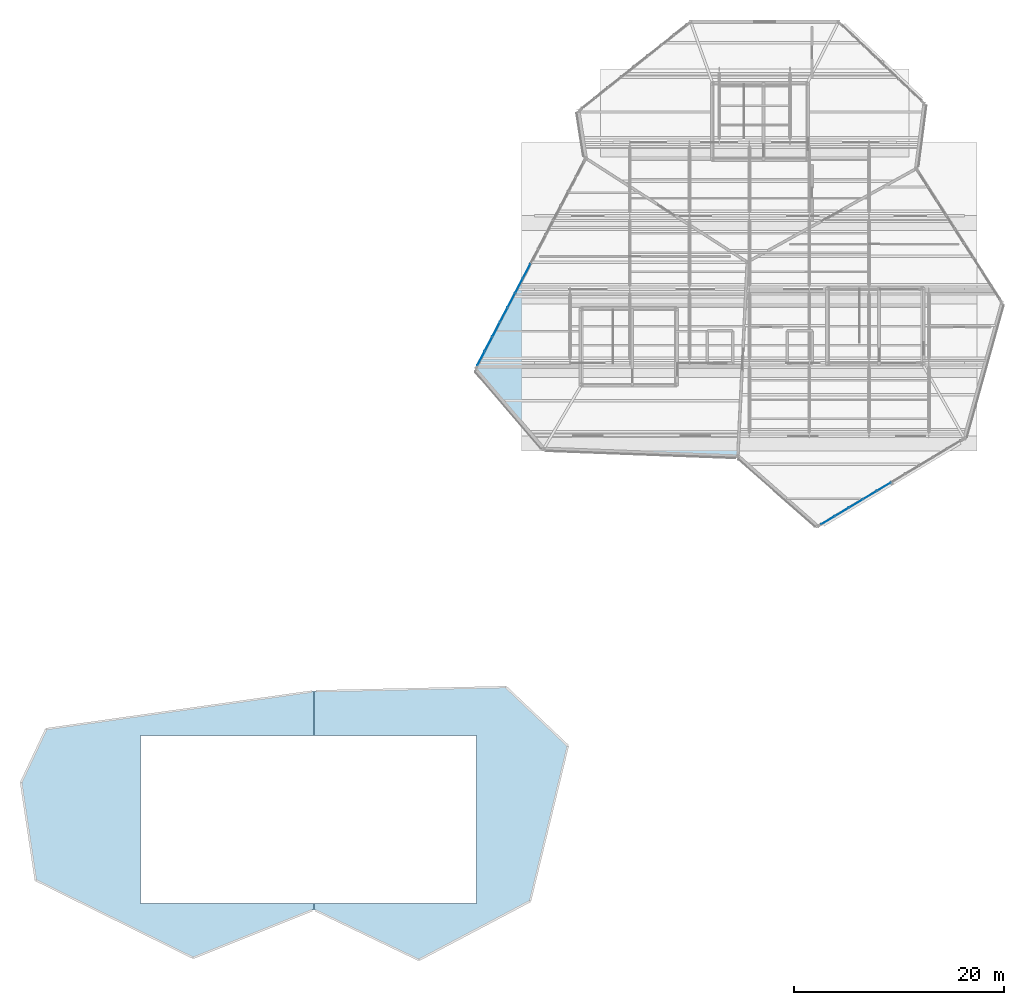
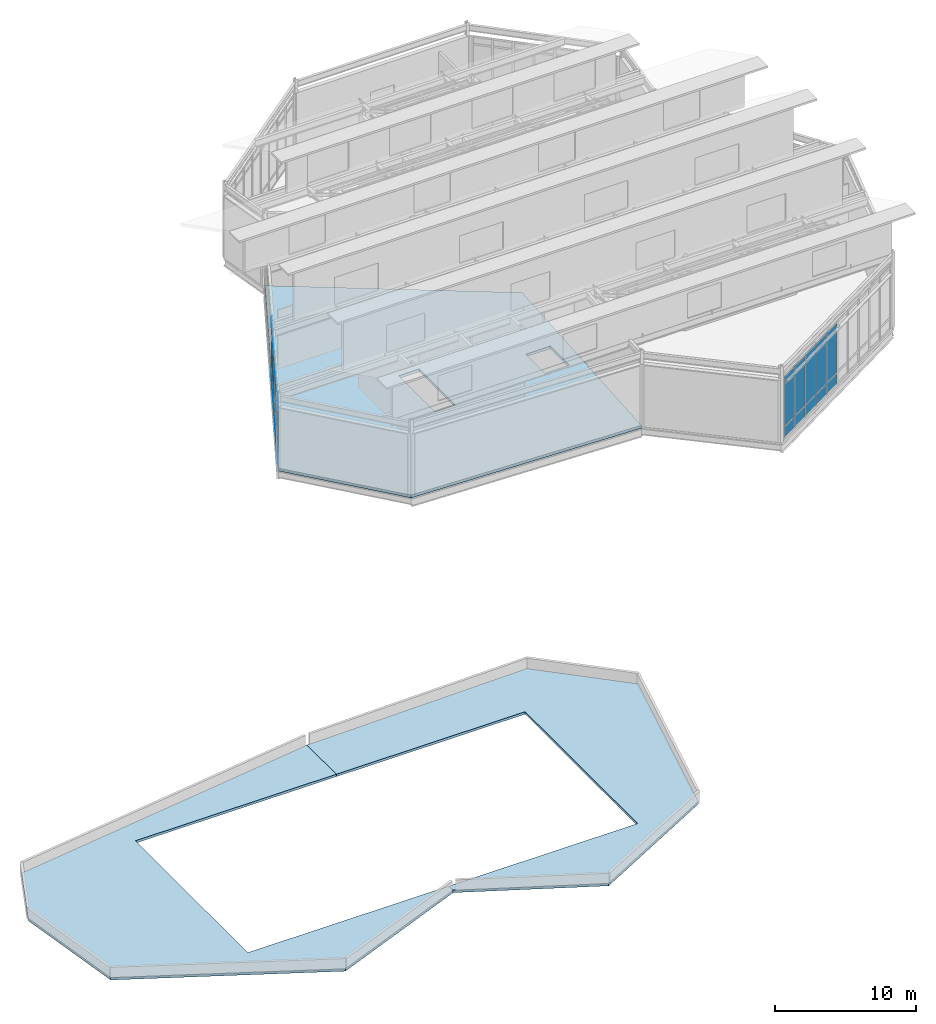
# One storey, part 42 of 55: 36 plates, 3 slabs, 2 elements without a shape of their own.
"""IFC4 building model written with IfcOpenShell, lengths in metres."""

from ifc_helpers import new_model, si_unit, direction, frame, origin, origin_2d, place, context, subcontext, project, spatial, polyline, rectangle, outline, extrude, material, layer, layer_set, type_object, element, aggregate, save


model = new_model("IFC4")

# Units and contexts
model_context = context("Model", 3, precision=1e-05, world=origin(), true_north=direction((0.0, 1.0)))
body_context = subcontext(model_context, "Body", "Model", "MODEL_VIEW")
ifc_project = project(units=[si_unit("LENGTHUNIT", "METRE"), si_unit("AREAUNIT", "SQUARE_METRE"), si_unit("VOLUMEUNIT", "CUBIC_METRE"), si_unit("PLANEANGLEUNIT", "RADIAN"), si_unit("MASSUNIT", "GRAM", prefix="KILO")], contexts=[model_context])

# Site, building, storey
site_placement = place(None, origin())
site = spatial("IfcSite", under=ifc_project, at=site_placement, CompositionType="ELEMENT")
building_placement = place(site_placement, origin())
building = spatial("IfcBuilding", under=site, at=building_placement, Name="Tameran Prism Museum", CompositionType="ELEMENT")
storey_placement = place(building_placement, frame((0.0, 0.0, 28.800048828125)))
storey = spatial("IfcBuildingStorey", under=building, at=storey_placement, Name="L05", CompositionType="ELEMENT", Elevation=28.800048828125)

# Curtain wall, plates
ifc_material_1 = material(Name="Anodised Aluminium 6063-T6 and Cyclone Solar Glass", Category="aluminium")
curtain_wall_type_1 = type_object("IfcCurtainWallType", Name="CW-FAC-1563x542", PredefinedType="USERDEFINED", material=ifc_material_1)
curtain_wall_1_placement = place(storey_placement, origin())
curtain_wall_1 = element("IfcCurtainWall", 1, at=curtain_wall_1_placement, inside=storey, type_object=curtain_wall_type_1, Name="Unitised Curtain Wall CW-165", ObjectType="UNITISED CURTAIN WALL", PredefinedType="USERDEFINED")
ifc_material_2 = material(Name="Low-E Laminated Solar Glass", Category="glass")
ifc_layer_1 = layer(ifc_material_2, 0.028076171875)
ifc_layer_set_1 = layer_set([ifc_layer_1])
plate_type_1 = type_object("IfcPlateType", Name="CW-PNL-G28", PredefinedType="CURTAIN_PANEL", material=ifc_layer_set_1)
plate_1_placement = place(storey_placement, frame((131.830078125, 67.697998046875, 0.0751953125), z_axis=(0.0, 0.0, 1.0), x_axis=(-0.857492925713, -0.514495755426, 0.0)))
plate_1 = element("IfcPlate", 2, at=plate_1_placement, type_object=plate_type_1, Name="CW-165 panel 6.1", PredefinedType="CURTAIN_PANEL", context=body_context, shape_type="SweptSolid", body=[
    extrude(rectangle(XDim=1.48779296875, YDim=0.028076171875, at=origin_2d()), origin(), (0.0, 0.0, 1.0), 0.887451171875),
])
plate_2_placement = place(storey_placement, frame((131.830078125, 67.697998046875, 1.037353515625), z_axis=(0.0, 0.0, 1.0), x_axis=(-0.857492925713, -0.514495755426, 0.0)))
plate_2 = element("IfcPlate", 3, at=plate_2_placement, type_object=plate_type_1, Name="CW-165 panel 6.2", PredefinedType="CURTAIN_PANEL", context=body_context, shape_type="SweptSolid", body=[
    extrude(rectangle(XDim=1.48779296875, YDim=0.028076171875, at=origin_2d()), origin(), (0.0, 0.0, 1.0), 3.6650390625),
])
plate_3_placement = place(storey_placement, frame((131.830078125, 67.697998046875, 4.777587890625), z_axis=(0.0, 0.0, 1.0), x_axis=(-0.857492925713, -0.514495755426, 0.0)))
plate_3 = element("IfcPlate", 4, at=plate_3_placement, type_object=plate_type_1, Name="CW-165 panel 6.3", PredefinedType="CURTAIN_PANEL", context=body_context, shape_type="SweptSolid", body=[
    extrude(rectangle(XDim=1.48779296875, YDim=0.028076171875, at=origin_2d()), origin(), (0.0, 0.0, 1.0), 0.5673828125),
])
plate_4_placement = place(storey_placement, frame((130.489990234375, 66.89404296875, 0.0751953125), z_axis=(0.0, 0.0, 1.0), x_axis=(-0.857492925713, -0.514495755426, 0.0)))
plate_4 = element("IfcPlate", 5, at=plate_4_placement, type_object=plate_type_1, Name="CW-165 panel 7.1", PredefinedType="CURTAIN_PANEL", context=body_context, shape_type="SweptSolid", body=[
    extrude(rectangle(XDim=1.48779296875, YDim=0.028076171875, at=origin_2d()), origin(), (0.0, 0.0, 1.0), 0.887451171875),
])
plate_5_placement = place(storey_placement, frame((130.489990234375, 66.89404296875, 1.037353515625), z_axis=(0.0, 0.0, 1.0), x_axis=(-0.857492925713, -0.514495755426, 0.0)))
plate_5 = element("IfcPlate", 6, at=plate_5_placement, type_object=plate_type_1, Name="CW-165 panel 7.2", PredefinedType="CURTAIN_PANEL", context=body_context, shape_type="SweptSolid", body=[
    extrude(rectangle(XDim=1.48779296875, YDim=0.028076171875, at=origin_2d()), origin(), (0.0, 0.0, 1.0), 3.6650390625),
])
plate_6_placement = place(storey_placement, frame((130.489990234375, 66.89404296875, 4.777587890625), z_axis=(0.0, 0.0, 1.0), x_axis=(-0.857492925713, -0.514495755426, 0.0)))
plate_6 = element("IfcPlate", 7, at=plate_6_placement, type_object=plate_type_1, Name="CW-165 panel 7.3", PredefinedType="CURTAIN_PANEL", context=body_context, shape_type="SweptSolid", body=[
    extrude(rectangle(XDim=1.48779296875, YDim=0.028076171875, at=origin_2d()), origin(), (0.0, 0.0, 1.0), 0.5673828125),
])
plate_7_placement = place(storey_placement, frame((129.14990234375, 66.090087890625, 0.0751953125), z_axis=(0.0, 0.0, 1.0), x_axis=(-0.857492925713, -0.514495755426, 0.0)))
plate_7 = element("IfcPlate", 8, at=plate_7_placement, type_object=plate_type_1, Name="CW-165 panel 8.1", PredefinedType="CURTAIN_PANEL", context=body_context, shape_type="SweptSolid", body=[
    extrude(rectangle(XDim=1.48779296875, YDim=0.028076171875, at=origin_2d()), origin(), (0.0, 0.0, 1.0), 0.887451171875),
])
plate_8_placement = place(storey_placement, frame((129.14990234375, 66.090087890625, 1.037353515625), z_axis=(0.0, 0.0, 1.0), x_axis=(-0.857492925713, -0.514495755426, 0.0)))
plate_8 = element("IfcPlate", 9, at=plate_8_placement, type_object=plate_type_1, Name="CW-165 panel 8.2", PredefinedType="CURTAIN_PANEL", context=body_context, shape_type="SweptSolid", body=[
    extrude(rectangle(XDim=1.48779296875, YDim=0.028076171875, at=origin_2d()), origin(), (0.0, 0.0, 1.0), 3.6650390625),
])
plate_9_placement = place(storey_placement, frame((129.14990234375, 66.090087890625, 4.777587890625), z_axis=(0.0, 0.0, 1.0), x_axis=(-0.857492925713, -0.514495755426, 0.0)))
plate_9 = element("IfcPlate", 10, at=plate_9_placement, type_object=plate_type_1, Name="CW-165 panel 8.3", PredefinedType="CURTAIN_PANEL", context=body_context, shape_type="SweptSolid", body=[
    extrude(rectangle(XDim=1.48779296875, YDim=0.028076171875, at=origin_2d()), origin(), (0.0, 0.0, 1.0), 0.5673828125),
])
plate_10_placement = place(storey_placement, frame((127.81005859375, 65.285888671875, 0.0751953125), z_axis=(0.0, 0.0, 1.0), x_axis=(-0.857492925713, -0.514495755426, 0.0)))
plate_10 = element("IfcPlate", 11, at=plate_10_placement, type_object=plate_type_1, Name="CW-165 panel 9.1", PredefinedType="CURTAIN_PANEL", context=body_context, shape_type="SweptSolid", body=[
    extrude(rectangle(XDim=1.48779296875, YDim=0.028076171875, at=origin_2d()), origin(), (0.0, 0.0, 1.0), 0.887451171875),
])
plate_11_placement = place(storey_placement, frame((127.81005859375, 65.285888671875, 1.037353515625), z_axis=(0.0, 0.0, 1.0), x_axis=(-0.857492925713, -0.514495755426, 0.0)))
plate_11 = element("IfcPlate", 12, at=plate_11_placement, type_object=plate_type_1, Name="CW-165 panel 9.2", PredefinedType="CURTAIN_PANEL", context=body_context, shape_type="SweptSolid", body=[
    extrude(rectangle(XDim=1.48779296875, YDim=0.028076171875, at=origin_2d()), origin(), (0.0, 0.0, 1.0), 3.6650390625),
])
plate_12_placement = place(storey_placement, frame((127.81005859375, 65.285888671875, 4.777587890625), z_axis=(0.0, 0.0, 1.0), x_axis=(-0.857492925713, -0.514495755426, 0.0)))
plate_12 = element("IfcPlate", 13, at=plate_12_placement, type_object=plate_type_1, Name="CW-165 panel 9.3", PredefinedType="CURTAIN_PANEL", context=body_context, shape_type="SweptSolid", body=[
    extrude(rectangle(XDim=1.48779296875, YDim=0.028076171875, at=origin_2d()), origin(), (0.0, 0.0, 1.0), 0.5673828125),
])
plate_13_placement = place(storey_placement, frame((126.486083984375, 64.49169921875, 0.0751953125), z_axis=(0.0, 0.0, 1.0), x_axis=(-0.857492925713, -0.514495755426, 0.0)))
plate_13 = element("IfcPlate", 14, at=plate_13_placement, type_object=plate_type_1, Name="CW-165 panel 10.1", PredefinedType="CURTAIN_PANEL", context=body_context, shape_type="SweptSolid", body=[
    extrude(rectangle(XDim=1.4501953125, YDim=0.028076171875, at=origin_2d()), origin(), (0.0, 0.0, 1.0), 0.887451171875),
])
plate_14_placement = place(storey_placement, frame((126.486083984375, 64.49169921875, 1.037353515625), z_axis=(0.0, 0.0, 1.0), x_axis=(-0.857492925713, -0.514495755426, 0.0)))
plate_14 = element("IfcPlate", 15, at=plate_14_placement, type_object=plate_type_1, Name="CW-165 panel 10.2", PredefinedType="CURTAIN_PANEL", context=body_context, shape_type="SweptSolid", body=[
    extrude(rectangle(XDim=1.4501953125, YDim=0.028076171875, at=origin_2d()), origin(), (0.0, 0.0, 1.0), 3.6650390625),
])
plate_15_placement = place(storey_placement, frame((126.486083984375, 64.49169921875, 4.777587890625), z_axis=(0.0, 0.0, 1.0), x_axis=(-0.857492925713, -0.514495755426, 0.0)))
plate_15 = element("IfcPlate", 16, at=plate_15_placement, type_object=plate_type_1, Name="CW-165 panel 10.3", PredefinedType="CURTAIN_PANEL", context=body_context, shape_type="SweptSolid", body=[
    extrude(rectangle(XDim=1.4501953125, YDim=0.028076171875, at=origin_2d()), origin(), (0.0, 0.0, 1.0), 0.5673828125),
])
aggregate(curtain_wall_1, [plate_1, plate_2, plate_3, plate_4, plate_5, plate_6, plate_7, plate_8, plate_9, plate_10, plate_11, plate_12, plate_13, plate_14, plate_15])

ifc_material_3 = material(Name="Anodised Aluminium 6063-T6 and Cyclone Solar Glass", Category="aluminium")
curtain_wall_type_2 = type_object("IfcCurtainWallType", Name="CW-FAC-2192x542", PredefinedType="USERDEFINED", material=ifc_material_3)
curtain_wall_2_placement = place(storey_placement, origin())
curtain_wall_2 = element("IfcCurtainWall", 17, at=curtain_wall_2_placement, inside=storey, type_object=curtain_wall_type_2, Name="Unitised Curtain Wall CW-164", ObjectType="UNITISED CURTAIN WALL", PredefinedType="USERDEFINED")
ifc_material_4 = material(Name="Cyclone Laminated Solar Glass", Category="glass")
ifc_layer_2 = layer(ifc_material_4, 0.031982421875)
ifc_layer_set_2 = layer_set([ifc_layer_2])
plate_type_2 = type_object("IfcPlateType", Name="CW-PNL-G32", PredefinedType="CURTAIN_PANEL", material=ifc_layer_set_2)
plate_16_placement = place(storey_placement, frame((93.4326171875, 79.91943359375, 0.06982421875), z_axis=(0.0, 0.0, 1.0), x_axis=(0.463002540551, 0.886356952612, 0.0)))
plate_16 = element("IfcPlate", 18, at=plate_16_placement, type_object=plate_type_2, Name="CW-164 panel 1.1", PredefinedType="CURTAIN_PANEL", context=body_context, shape_type="SweptSolid", body=[
    extrude(rectangle(XDim=1.46044921875, YDim=0.031982421875, at=origin_2d()), origin(), (0.0, 0.0, 1.0), 0.89501953125),
])
plate_17_placement = place(storey_placement, frame((93.4326171875, 79.91943359375, 1.034912109375), z_axis=(0.0, 0.0, 1.0), x_axis=(0.463002540551, 0.886356952612, 0.0)))
plate_17 = element("IfcPlate", 19, at=plate_17_placement, type_object=plate_type_2, Name="CW-164 panel 1.2", PredefinedType="CURTAIN_PANEL", context=body_context, shape_type="SweptSolid", body=[
    extrude(rectangle(XDim=1.46044921875, YDim=0.031982421875, at=origin_2d()), origin(), (0.0, 0.0, 1.0), 3.669921875),
])
plate_18_placement = place(storey_placement, frame((93.4326171875, 79.91943359375, 4.77490234375), z_axis=(0.0, 0.0, 1.0), x_axis=(0.463002540551, 0.886356952612, 0.0)))
plate_18 = element("IfcPlate", 20, at=plate_18_placement, type_object=plate_type_2, Name="CW-164 panel 1.3", PredefinedType="CURTAIN_PANEL", context=body_context, shape_type="SweptSolid", body=[
    extrude(rectangle(XDim=1.46044921875, YDim=0.031982421875, at=origin_2d()), origin(), (0.0, 0.0, 1.0), 0.574951171875),
])
plate_19_placement = place(storey_placement, frame((94.149169921875, 81.29150390625, 0.06982421875), z_axis=(0.0, 0.0, 1.0), x_axis=(0.463002540551, 0.886356952612, 0.0)))
plate_19 = element("IfcPlate", 21, at=plate_19_placement, type_object=plate_type_2, Name="CW-164 panel 2.1", PredefinedType="CURTAIN_PANEL", context=body_context, shape_type="SweptSolid", body=[
    extrude(rectangle(XDim=1.49560546875, YDim=0.031982421875, at=origin_2d()), origin(), (0.0, 0.0, 1.0), 0.89501953125),
])
plate_20_placement = place(storey_placement, frame((94.149169921875, 81.29150390625, 1.034912109375), z_axis=(0.0, 0.0, 1.0), x_axis=(0.463002540551, 0.886356952612, 0.0)))
plate_20 = element("IfcPlate", 22, at=plate_20_placement, type_object=plate_type_2, Name="CW-164 panel 2.2", PredefinedType="CURTAIN_PANEL", context=body_context, shape_type="SweptSolid", body=[
    extrude(rectangle(XDim=1.49560546875, YDim=0.031982421875, at=origin_2d()), origin(), (0.0, 0.0, 1.0), 3.669921875),
])
plate_21_placement = place(storey_placement, frame((94.149169921875, 81.29150390625, 4.77490234375), z_axis=(0.0, 0.0, 1.0), x_axis=(0.463002540551, 0.886356952612, 0.0)))
plate_21 = element("IfcPlate", 23, at=plate_21_placement, type_object=plate_type_2, Name="CW-164 panel 2.3", PredefinedType="CURTAIN_PANEL", context=body_context, shape_type="SweptSolid", body=[
    extrude(rectangle(XDim=1.49560546875, YDim=0.031982421875, at=origin_2d()), origin(), (0.0, 0.0, 1.0), 0.574951171875),
])
plate_22_placement = place(storey_placement, frame((94.8740234375, 82.67919921875, 0.06982421875), z_axis=(0.0, 0.0, 1.0), x_axis=(0.463002540551, 0.886356952612, 0.0)))
plate_22 = element("IfcPlate", 24, at=plate_22_placement, type_object=plate_type_2, Name="CW-164 panel 3.1", PredefinedType="CURTAIN_PANEL", context=body_context, shape_type="SweptSolid", body=[
    extrude(rectangle(XDim=1.49560546875, YDim=0.031982421875, at=origin_2d()), origin(), (0.0, 0.0, 1.0), 0.89501953125),
])
plate_23_placement = place(storey_placement, frame((94.8740234375, 82.67919921875, 1.034912109375), z_axis=(0.0, 0.0, 1.0), x_axis=(0.463002540551, 0.886356952612, 0.0)))
plate_23 = element("IfcPlate", 25, at=plate_23_placement, type_object=plate_type_2, Name="CW-164 panel 3.2", PredefinedType="CURTAIN_PANEL", context=body_context, shape_type="SweptSolid", body=[
    extrude(rectangle(XDim=1.49560546875, YDim=0.031982421875, at=origin_2d()), origin(), (0.0, 0.0, 1.0), 3.669921875),
])
plate_24_placement = place(storey_placement, frame((94.8740234375, 82.67919921875, 4.77490234375), z_axis=(0.0, 0.0, 1.0), x_axis=(0.463002540551, 0.886356952612, 0.0)))
plate_24 = element("IfcPlate", 26, at=plate_24_placement, type_object=plate_type_2, Name="CW-164 panel 3.3", PredefinedType="CURTAIN_PANEL", context=body_context, shape_type="SweptSolid", body=[
    extrude(rectangle(XDim=1.49560546875, YDim=0.031982421875, at=origin_2d()), origin(), (0.0, 0.0, 1.0), 0.574951171875),
])
plate_25_placement = place(storey_placement, frame((95.59912109375, 84.066650390625, 0.06982421875), z_axis=(0.0, 0.0, 1.0), x_axis=(0.463002540551, 0.886356952612, 0.0)))
plate_25 = element("IfcPlate", 27, at=plate_25_placement, type_object=plate_type_2, Name="CW-164 panel 4.1", PredefinedType="CURTAIN_PANEL", context=body_context, shape_type="SweptSolid", body=[
    extrude(rectangle(XDim=1.49560546875, YDim=0.031982421875, at=origin_2d()), origin(), (0.0, 0.0, 1.0), 0.89501953125),
])
plate_26_placement = place(storey_placement, frame((95.59912109375, 84.066650390625, 1.034912109375), z_axis=(0.0, 0.0, 1.0), x_axis=(0.463002540551, 0.886356952612, 0.0)))
plate_26 = element("IfcPlate", 28, at=plate_26_placement, type_object=plate_type_2, Name="CW-164 panel 4.2", PredefinedType="CURTAIN_PANEL", context=body_context, shape_type="SweptSolid", body=[
    extrude(rectangle(XDim=1.49560546875, YDim=0.031982421875, at=origin_2d()), origin(), (0.0, 0.0, 1.0), 3.669921875),
])
plate_27_placement = place(storey_placement, frame((95.59912109375, 84.066650390625, 4.77490234375), z_axis=(0.0, 0.0, 1.0), x_axis=(0.463002540551, 0.886356952612, 0.0)))
plate_27 = element("IfcPlate", 29, at=plate_27_placement, type_object=plate_type_2, Name="CW-164 panel 4.3", PredefinedType="CURTAIN_PANEL", context=body_context, shape_type="SweptSolid", body=[
    extrude(rectangle(XDim=1.49560546875, YDim=0.031982421875, at=origin_2d()), origin(), (0.0, 0.0, 1.0), 0.574951171875),
])
plate_28_placement = place(storey_placement, frame((96.323974609375, 85.454345703125, 0.06982421875), z_axis=(0.0, 0.0, 1.0), x_axis=(0.463002540551, 0.886356952612, 0.0)))
plate_28 = element("IfcPlate", 30, at=plate_28_placement, type_object=plate_type_2, Name="CW-164 panel 5.1", PredefinedType="CURTAIN_PANEL", context=body_context, shape_type="SweptSolid", body=[
    extrude(rectangle(XDim=1.49560546875, YDim=0.031982421875, at=origin_2d()), origin(), (0.0, 0.0, 1.0), 0.89501953125),
])
plate_29_placement = place(storey_placement, frame((96.323974609375, 85.454345703125, 1.034912109375), z_axis=(0.0, 0.0, 1.0), x_axis=(0.463002540551, 0.886356952612, 0.0)))
plate_29 = element("IfcPlate", 31, at=plate_29_placement, type_object=plate_type_2, Name="CW-164 panel 5.2", PredefinedType="CURTAIN_PANEL", context=body_context, shape_type="SweptSolid", body=[
    extrude(rectangle(XDim=1.49560546875, YDim=0.031982421875, at=origin_2d()), origin(), (0.0, 0.0, 1.0), 3.669921875),
])
plate_30_placement = place(storey_placement, frame((96.323974609375, 85.454345703125, 4.77490234375), z_axis=(0.0, 0.0, 1.0), x_axis=(0.463002540551, 0.886356952612, 0.0)))
plate_30 = element("IfcPlate", 32, at=plate_30_placement, type_object=plate_type_2, Name="CW-164 panel 5.3", PredefinedType="CURTAIN_PANEL", context=body_context, shape_type="SweptSolid", body=[
    extrude(rectangle(XDim=1.49560546875, YDim=0.031982421875, at=origin_2d()), origin(), (0.0, 0.0, 1.0), 0.574951171875),
])
plate_31_placement = place(storey_placement, frame((97.048828125, 86.842041015625, 0.06982421875), z_axis=(0.0, 0.0, 1.0), x_axis=(0.463002540551, 0.886356952612, 0.0)))
plate_31 = element("IfcPlate", 33, at=plate_31_placement, type_object=plate_type_2, Name="CW-164 panel 6.1", PredefinedType="CURTAIN_PANEL", context=body_context, shape_type="SweptSolid", body=[
    extrude(rectangle(XDim=1.49560546875, YDim=0.031982421875, at=origin_2d()), origin(), (0.0, 0.0, 1.0), 0.89501953125),
])
plate_32_placement = place(storey_placement, frame((97.048828125, 86.842041015625, 1.034912109375), z_axis=(0.0, 0.0, 1.0), x_axis=(0.463002540551, 0.886356952612, 0.0)))
plate_32 = element("IfcPlate", 34, at=plate_32_placement, type_object=plate_type_2, Name="CW-164 panel 6.2", PredefinedType="CURTAIN_PANEL", context=body_context, shape_type="SweptSolid", body=[
    extrude(rectangle(XDim=1.49560546875, YDim=0.031982421875, at=origin_2d()), origin(), (0.0, 0.0, 1.0), 3.669921875),
])
plate_33_placement = place(storey_placement, frame((97.048828125, 86.842041015625, 4.77490234375), z_axis=(0.0, 0.0, 1.0), x_axis=(0.463002540551, 0.886356952612, 0.0)))
plate_33 = element("IfcPlate", 35, at=plate_33_placement, type_object=plate_type_2, Name="CW-164 panel 6.3", PredefinedType="CURTAIN_PANEL", context=body_context, shape_type="SweptSolid", body=[
    extrude(rectangle(XDim=1.49560546875, YDim=0.031982421875, at=origin_2d()), origin(), (0.0, 0.0, 1.0), 0.574951171875),
])
plate_34_placement = place(storey_placement, frame((97.773681640625, 88.229736328125, 0.06982421875), z_axis=(0.0, 0.0, 1.0), x_axis=(0.463002540551, 0.886356952612, 0.0)))
plate_34 = element("IfcPlate", 36, at=plate_34_placement, type_object=plate_type_2, Name="CW-164 panel 7.1", PredefinedType="CURTAIN_PANEL", context=body_context, shape_type="SweptSolid", body=[
    extrude(rectangle(XDim=1.49560546875, YDim=0.031982421875, at=origin_2d()), origin(), (0.0, 0.0, 1.0), 0.89501953125),
])
plate_35_placement = place(storey_placement, frame((97.773681640625, 88.229736328125, 1.034912109375), z_axis=(0.0, 0.0, 1.0), x_axis=(0.463002540551, 0.886356952612, 0.0)))
plate_35 = element("IfcPlate", 37, at=plate_35_placement, type_object=plate_type_2, Name="CW-164 panel 7.2", PredefinedType="CURTAIN_PANEL", context=body_context, shape_type="SweptSolid", body=[
    extrude(rectangle(XDim=1.49560546875, YDim=0.031982421875, at=origin_2d()), origin(), (0.0, 0.0, 1.0), 3.669921875),
])
plate_36_placement = place(storey_placement, frame((97.773681640625, 88.229736328125, 4.77490234375), z_axis=(0.0, 0.0, 1.0), x_axis=(0.463002540551, 0.886356952612, 0.0)))
plate_36 = element("IfcPlate", 38, at=plate_36_placement, type_object=plate_type_2, Name="CW-164 panel 7.3", PredefinedType="CURTAIN_PANEL", context=body_context, shape_type="SweptSolid", body=[
    extrude(rectangle(XDim=1.49560546875, YDim=0.031982421875, at=origin_2d()), origin(), (0.0, 0.0, 1.0), 0.574951171875),
])
aggregate(curtain_wall_2, [plate_16, plate_17, plate_18, plate_19, plate_20, plate_21, plate_22, plate_23, plate_24, plate_25, plate_26, plate_27, plate_28, plate_29, plate_30, plate_31, plate_32, plate_33, plate_34, plate_35, plate_36])

# Slabs
ifc_material_5 = material(Name="Concrete N40 (40 MPa)", Category="concrete")
ifc_layer_3 = layer(ifc_material_5, 0.239990234375)
ifc_layer_set_3 = layer_set([ifc_layer_3])
slab_type_1 = type_object("IfcSlabType", Name="SL-FLR-240", PredefinedType="FLOOR", material=ifc_layer_set_3)
slab_1_placement = place(storey_placement, frame((0.0, 0.0, -0.239990234375)))
element("IfcSlab", 39, at=slab_1_placement, inside=storey, type_object=slab_type_1, Name="Floor Slab FS-P01-L05", PredefinedType="FLOOR", context=body_context, shape_type="SweptSolid", body=[
    extrude(outline(polyline([(92.89990234375, 78.89990234375), (103.39990234375, 99.0), (118.800048828125, 89.10009765625), (117.89990234375, 70.60009765625), (99.39990234375, 71.300048828125), (92.89990234375, 78.89990234375)]), holes=[polyline([(117.199951171875, 79.64990234375), (117.199951171875, 82.35009765625), (115.199951171875, 82.35009765625), (115.199951171875, 79.64990234375), (117.199951171875, 79.64990234375)]), polyline([(107.719970703125, 79.43994140625), (107.719970703125, 84.550048828125), (106.050048828125, 84.550048828125), (106.050048828125, 79.43994140625), (107.719970703125, 79.43994140625)])]), origin(), (0.0, 0.0, 1.0), 0.239990234375),
])
ifc_material_6 = material(Name="Concrete N32 (32 MPa)", Category="concrete")
ifc_layer_4 = layer(ifc_material_6, 0.2099609375)
ifc_layer_set_4 = layer_set([ifc_layer_4])
slab_type_2 = type_object("IfcSlabType", Name="SL-ROOF-210", PredefinedType="ROOF", material=ifc_layer_set_4)
slab_2_placement = place(storey_placement, frame((0.0, 0.0, -0.2099609375)))
element("IfcSlab", 40, at=slab_2_placement, inside=storey, type_object=slab_type_2, Name="Prism Roof Slab RF-P05", PredefinedType="ROOF", context=body_context, shape_type="SweptSolid", body=[
    extrude(outline(polyline([(77.5, 27.39990234375), (66.0, 22.800048828125), (51.0, 30.199951171875), (49.60009765625, 39.5), (52.0, 44.60009765625), (77.5, 48.199951171875), (77.5, 44.0), (61.0, 44.0), (61.0, 36.0), (61.0, 28.0), (77.5, 28.0), (77.5, 27.39990234375)])), origin(), (0.0, 0.0, 1.0), 0.2099609375),
])
slab_3_placement = place(storey_placement, frame((0.0, 0.0, -0.2099609375)))
element("IfcSlab", 41, at=slab_3_placement, inside=storey, type_object=slab_type_2, Name="Prism Roof Slab RF-P06", PredefinedType="ROOF", context=body_context, shape_type="SweptSolid", body=[
    extrude(outline(polyline([(77.5, 48.199951171875), (95.800048828125, 48.60009765625), (101.699951171875, 43.0), (98.10009765625, 28.199951171875), (87.5, 22.60009765625), (77.5, 27.39990234375), (77.5, 28.0), (93.0, 28.0), (93.0, 36.0), (93.0, 44.0), (77.5, 44.0), (77.5, 48.199951171875)])), origin(), (0.0, 0.0, 1.0), 0.2099609375),
])

save(model, "model.ifc")
